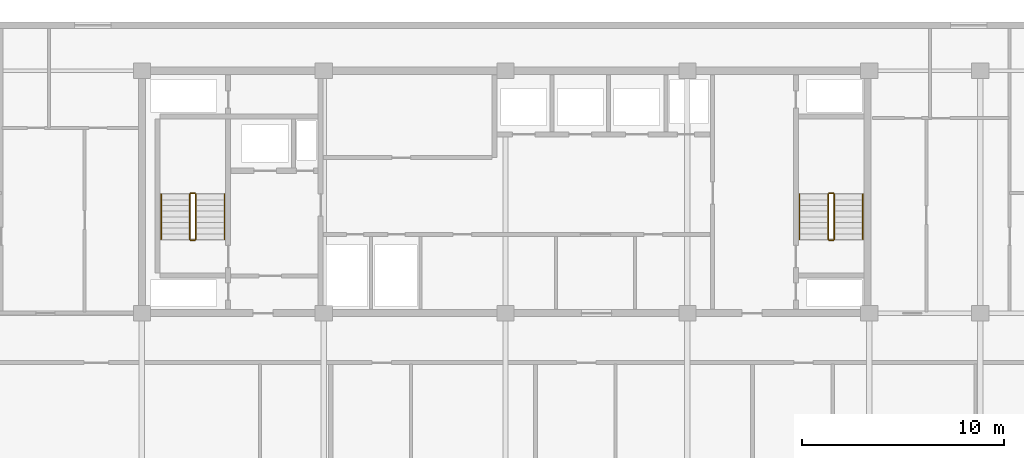
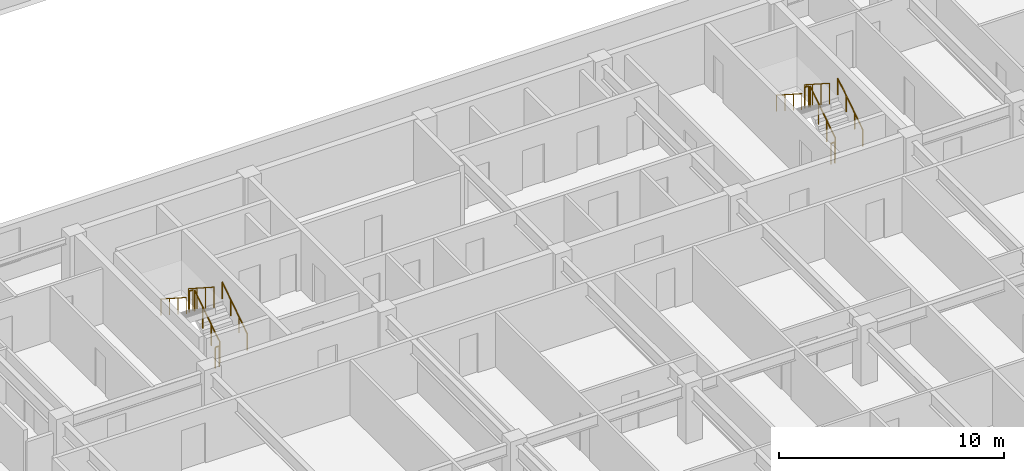
# One storey, part 18 of 21: 12 railings.
"""IFC4 building model written with IfcOpenShell, lengths in metres."""

from ifc_helpers import new_model, si_unit, direction, frame, origin, origin_2d, place, context, subcontext, project, spatial, circle, extrude, material, type_object, element, save


model = new_model("IFC4")

# Units and contexts
model_context = context("Model", 3, precision=1e-05, world=origin(), true_north=direction((0.0, 1.0)))
body_context = subcontext(model_context, "Body", "Model", "MODEL_VIEW")
ifc_project = project(units=[si_unit("LENGTHUNIT", "METRE"), si_unit("AREAUNIT", "SQUARE_METRE"), si_unit("VOLUMEUNIT", "CUBIC_METRE"), si_unit("PLANEANGLEUNIT", "RADIAN"), si_unit("MASSUNIT", "GRAM", prefix="KILO")], contexts=[model_context])

# Site, building, storey
site_placement = place(None, origin())
site = spatial("IfcSite", under=ifc_project, at=site_placement, CompositionType="ELEMENT")
building_placement = place(site_placement, origin())
building = spatial("IfcBuilding", under=site, at=building_placement, Name="Korimba Cascade Residences", CompositionType="ELEMENT")
storey_placement = place(building_placement, frame((0.0, 0.0, 103.550048828125)))
storey = spatial("IfcBuildingStorey", under=building, at=storey_placement, Name="L29", CompositionType="ELEMENT", Elevation=103.550048828125)

# Railings
ifc_material_1 = material(Name="Painted Steel Stairwell Guardrail", Category="steel")
railing_type_1 = type_object("IfcRailingType", Name="RLG-ST-GD1150", PredefinedType="GUARDRAIL", material=ifc_material_1)
railing_1_placement = place(storey_placement, frame((84.77001953125, 22.050048828125, 0.180419921875)))
element("IfcRailing", 1, at=railing_1_placement, inside=storey, type_object=railing_type_1, Name="L29 ST-E1 stair guard 1", PredefinedType="GUARDRAIL", context=body_context, shape_type="SweptSolid", body=[
    extrude(circle(Radius=0.02392578125, at=origin_2d()), frame((0.0, 0.0, 1.1259765625), z_axis=(0.0, 0.840394893359, 0.541974559565), x_axis=(-1.0, 0.0, 0.0)), (0.0, 0.0, 1.0), 2.665283203125),
    extrude(circle(Radius=0.02099609375, at=origin_2d()), origin(), (0.0, 0.0, 1.0), 1.101806640625),
    extrude(circle(Radius=0.02099609375, at=origin_2d()), frame((0.0, 0.74658203125, 0.4814453125)), (0.0, 0.0, 1.0), 1.101806640625),
    extrude(circle(Radius=0.02099609375, at=origin_2d()), frame((0.0, 1.493408203125, 0.963134765625)), (0.0, 0.0, 1.0), 1.101806640625),
    extrude(circle(Radius=0.02099609375, at=origin_2d()), frame((0.0, 2.239990234375, 1.444580078125)), (0.0, 0.0, 1.0), 1.101806640625),
])
railing_2_placement = place(storey_placement, frame((84.719970703125, 24.340087890625, 1.625)))
element("IfcRailing", 2, at=railing_2_placement, inside=storey, type_object=railing_type_1, Name="L29 ST-E1 stair guard 2", PredefinedType="GUARDRAIL", context=body_context, shape_type="SweptSolid", body=[
    extrude(circle(Radius=0.02392578125, at=origin_2d()), frame((0.0, 0.0, 1.1259765625), z_axis=(-1.0, 0.0, 0.0), x_axis=(0.0, -1.0, 0.0)), (0.0, 0.0, 1.0), 0.199951171875),
    extrude(circle(Radius=0.02099609375, at=origin_2d()), origin(), (0.0, 0.0, 1.0), 1.101806640625),
    extrude(circle(Radius=0.02099609375, at=origin_2d()), frame((-0.199951171875, 0.0, 0.0)), (0.0, 0.0, 1.0), 1.101806640625),
])
railing_3_placement = place(storey_placement, frame((84.469970703125, 24.2900390625, 1.805419921875)))
element("IfcRailing", 3, at=railing_3_placement, inside=storey, type_object=railing_type_1, Name="L29 ST-E1 stair guard 3", PredefinedType="GUARDRAIL", context=body_context, shape_type="SweptSolid", body=[
    extrude(circle(Radius=0.02392578125, at=origin_2d()), frame((0.0, 0.0, 1.1259765625), z_axis=(0.0, -0.840394893359, 0.541974559565), x_axis=(1.0, 0.0, 0.0)), (0.0, 0.0, 1.0), 2.665283203125),
    extrude(circle(Radius=0.02099609375, at=origin_2d()), origin(), (0.0, 0.0, 1.0), 1.101806640625),
    extrude(circle(Radius=0.02099609375, at=origin_2d()), frame((0.0, -0.74658203125, 0.4814453125)), (0.0, 0.0, 1.0), 1.101806640625),
    extrude(circle(Radius=0.02099609375, at=origin_2d()), frame((0.0, -1.493408203125, 0.963134765625)), (0.0, 0.0, 1.0), 1.101806640625),
    extrude(circle(Radius=0.02099609375, at=origin_2d()), frame((0.0, -2.239990234375, 1.444580078125)), (0.0, 0.0, 1.0), 1.101806640625),
])
railing_4_placement = place(storey_placement, frame((84.719970703125, 22.0, 0.0)))
element("IfcRailing", 4, at=railing_4_placement, inside=storey, type_object=railing_type_1, Name="L29 ST-E1 stair guard 4", PredefinedType="GUARDRAIL", context=body_context, shape_type="SweptSolid", body=[
    extrude(circle(Radius=0.02392578125, at=origin_2d()), frame((0.0, 0.0, 1.1259765625), z_axis=(-1.0, 0.0, 0.0), x_axis=(0.0, -1.0, 0.0)), (0.0, 0.0, 1.0), 0.199951171875),
    extrude(circle(Radius=0.02099609375, at=origin_2d()), origin(), (0.0, 0.0, 1.0), 1.101806640625),
    extrude(circle(Radius=0.02099609375, at=origin_2d()), frame((-0.199951171875, 0.0, 0.0)), (0.0, 0.0, 1.0), 1.101806640625),
])
railing_5_placement = place(storey_placement, frame((116.3701171875, 22.050048828125, 0.180419921875)))
element("IfcRailing", 5, at=railing_5_placement, inside=storey, type_object=railing_type_1, Name="L29 ST-E2 stair guard 1", PredefinedType="GUARDRAIL", context=body_context, shape_type="SweptSolid", body=[
    extrude(circle(Radius=0.02392578125, at=origin_2d()), frame((0.0, 0.0, 1.1259765625), z_axis=(0.0, 0.840394893359, 0.541974559565), x_axis=(-1.0, 0.0, 0.0)), (0.0, 0.0, 1.0), 2.665283203125),
    extrude(circle(Radius=0.02099609375, at=origin_2d()), origin(), (0.0, 0.0, 1.0), 1.101806640625),
    extrude(circle(Radius=0.02099609375, at=origin_2d()), frame((0.0, 0.74658203125, 0.4814453125)), (0.0, 0.0, 1.0), 1.101806640625),
    extrude(circle(Radius=0.02099609375, at=origin_2d()), frame((0.0, 1.493408203125, 0.963134765625)), (0.0, 0.0, 1.0), 1.101806640625),
    extrude(circle(Radius=0.02099609375, at=origin_2d()), frame((0.0, 2.239990234375, 1.444580078125)), (0.0, 0.0, 1.0), 1.101806640625),
])
railing_6_placement = place(storey_placement, frame((116.320068359375, 24.340087890625, 1.625)))
element("IfcRailing", 6, at=railing_6_placement, inside=storey, type_object=railing_type_1, Name="L29 ST-E2 stair guard 2", PredefinedType="GUARDRAIL", context=body_context, shape_type="SweptSolid", body=[
    extrude(circle(Radius=0.02392578125, at=origin_2d()), frame((0.0, 0.0, 1.1259765625), z_axis=(-1.0, 0.0, 0.0), x_axis=(0.0, -1.0, 0.0)), (0.0, 0.0, 1.0), 0.199951171875),
    extrude(circle(Radius=0.02099609375, at=origin_2d()), origin(), (0.0, 0.0, 1.0), 1.101806640625),
    extrude(circle(Radius=0.02099609375, at=origin_2d()), frame((-0.199951171875, 0.0, 0.0)), (0.0, 0.0, 1.0), 1.101806640625),
])
railing_7_placement = place(storey_placement, frame((116.070068359375, 24.2900390625, 1.805419921875)))
element("IfcRailing", 7, at=railing_7_placement, inside=storey, type_object=railing_type_1, Name="L29 ST-E2 stair guard 3", PredefinedType="GUARDRAIL", context=body_context, shape_type="SweptSolid", body=[
    extrude(circle(Radius=0.02392578125, at=origin_2d()), frame((0.0, 0.0, 1.1259765625), z_axis=(0.0, -0.840394893359, 0.541974559565), x_axis=(1.0, 0.0, 0.0)), (0.0, 0.0, 1.0), 2.665283203125),
    extrude(circle(Radius=0.02099609375, at=origin_2d()), origin(), (0.0, 0.0, 1.0), 1.101806640625),
    extrude(circle(Radius=0.02099609375, at=origin_2d()), frame((0.0, -0.74658203125, 0.4814453125)), (0.0, 0.0, 1.0), 1.101806640625),
    extrude(circle(Radius=0.02099609375, at=origin_2d()), frame((0.0, -1.493408203125, 0.963134765625)), (0.0, 0.0, 1.0), 1.101806640625),
    extrude(circle(Radius=0.02099609375, at=origin_2d()), frame((0.0, -2.239990234375, 1.444580078125)), (0.0, 0.0, 1.0), 1.101806640625),
])
railing_8_placement = place(storey_placement, frame((116.320068359375, 22.0, 0.0)))
element("IfcRailing", 8, at=railing_8_placement, inside=storey, type_object=railing_type_1, Name="L29 ST-E2 stair guard 4", PredefinedType="GUARDRAIL", context=body_context, shape_type="SweptSolid", body=[
    extrude(circle(Radius=0.02392578125, at=origin_2d()), frame((0.0, 0.0, 1.1259765625), z_axis=(-1.0, 0.0, 0.0), x_axis=(0.0, -1.0, 0.0)), (0.0, 0.0, 1.0), 0.199951171875),
    extrude(circle(Radius=0.02099609375, at=origin_2d()), origin(), (0.0, 0.0, 1.0), 1.101806640625),
    extrude(circle(Radius=0.02099609375, at=origin_2d()), frame((-0.199951171875, 0.0, 0.0)), (0.0, 0.0, 1.0), 1.101806640625),
])
ifc_material_2 = material(Name="Brushed Stainless Steel Handrail", Category="steel")
railing_type_2 = type_object("IfcRailingType", Name="RLG-ST-HR900", PredefinedType="HANDRAIL", material=ifc_material_2)
railing_9_placement = place(storey_placement, frame((86.18994140625, 22.050048828125, 0.364990234375)))
element("IfcRailing", 9, at=railing_9_placement, inside=storey, type_object=railing_type_2, Name="L29 ST-E1 stair handrail 1", PredefinedType="HANDRAIL", context=body_context, shape_type="SweptSolid", body=[
    extrude(circle(Radius=0.02392578125, at=origin_2d()), frame((0.0, 0.0, 0.8759765625), z_axis=(0.0, 0.840436612492, 0.541909863706), x_axis=(-1.0, 0.0, 0.0)), (0.0, 0.0, 1.0), 2.665283203125),
    extrude(circle(Radius=0.02099609375, at=origin_2d()), origin(), (0.0, 0.0, 1.0), 0.851806640625),
    extrude(circle(Radius=0.02099609375, at=origin_2d()), frame((0.0, 0.74658203125, 0.4814453125)), (0.0, 0.0, 1.0), 0.851806640625),
    extrude(circle(Radius=0.02099609375, at=origin_2d()), frame((0.0, 1.493408203125, 0.962890625)), (0.0, 0.0, 1.0), 0.851806640625),
    extrude(circle(Radius=0.02099609375, at=origin_2d()), frame((0.0, 2.239990234375, 1.4443359375)), (0.0, 0.0, 1.0), 0.851806640625),
])
railing_10_placement = place(storey_placement, frame((83.050048828125, 24.2900390625, 1.989990234375)))
element("IfcRailing", 10, at=railing_10_placement, inside=storey, type_object=railing_type_2, Name="L29 ST-E1 stair handrail 2", PredefinedType="HANDRAIL", context=body_context, shape_type="SweptSolid", body=[
    extrude(circle(Radius=0.02392578125, at=origin_2d()), frame((0.0, 0.0, 0.8759765625), z_axis=(0.0, -0.840436612492, 0.541909863706), x_axis=(1.0, 0.0, 0.0)), (0.0, 0.0, 1.0), 2.665283203125),
    extrude(circle(Radius=0.02099609375, at=origin_2d()), origin(), (0.0, 0.0, 1.0), 0.851806640625),
    extrude(circle(Radius=0.02099609375, at=origin_2d()), frame((0.0, -0.74658203125, 0.4814453125)), (0.0, 0.0, 1.0), 0.851806640625),
    extrude(circle(Radius=0.02099609375, at=origin_2d()), frame((0.0, -1.493408203125, 0.962890625)), (0.0, 0.0, 1.0), 0.851806640625),
    extrude(circle(Radius=0.02099609375, at=origin_2d()), frame((0.0, -2.239990234375, 1.4443359375)), (0.0, 0.0, 1.0), 0.851806640625),
])
railing_11_placement = place(storey_placement, frame((117.7900390625, 22.050048828125, 0.364990234375)))
element("IfcRailing", 11, at=railing_11_placement, inside=storey, type_object=railing_type_2, Name="L29 ST-E2 stair handrail 1", PredefinedType="HANDRAIL", context=body_context, shape_type="SweptSolid", body=[
    extrude(circle(Radius=0.02392578125, at=origin_2d()), frame((0.0, 0.0, 0.8759765625), z_axis=(0.0, 0.840436612492, 0.541909863706), x_axis=(-1.0, 0.0, 0.0)), (0.0, 0.0, 1.0), 2.665283203125),
    extrude(circle(Radius=0.02099609375, at=origin_2d()), origin(), (0.0, 0.0, 1.0), 0.851806640625),
    extrude(circle(Radius=0.02099609375, at=origin_2d()), frame((0.0, 0.74658203125, 0.4814453125)), (0.0, 0.0, 1.0), 0.851806640625),
    extrude(circle(Radius=0.02099609375, at=origin_2d()), frame((0.0, 1.493408203125, 0.962890625)), (0.0, 0.0, 1.0), 0.851806640625),
    extrude(circle(Radius=0.02099609375, at=origin_2d()), frame((0.0, 2.239990234375, 1.4443359375)), (0.0, 0.0, 1.0), 0.851806640625),
])
railing_12_placement = place(storey_placement, frame((114.64990234375, 24.2900390625, 1.989990234375)))
element("IfcRailing", 12, at=railing_12_placement, inside=storey, type_object=railing_type_2, Name="L29 ST-E2 stair handrail 2", PredefinedType="HANDRAIL", context=body_context, shape_type="SweptSolid", body=[
    extrude(circle(Radius=0.02392578125, at=origin_2d()), frame((0.0, 0.0, 0.8759765625), z_axis=(0.0, -0.840436612492, 0.541909863706), x_axis=(1.0, 0.0, 0.0)), (0.0, 0.0, 1.0), 2.665283203125),
    extrude(circle(Radius=0.02099609375, at=origin_2d()), origin(), (0.0, 0.0, 1.0), 0.851806640625),
    extrude(circle(Radius=0.02099609375, at=origin_2d()), frame((0.0, -0.74658203125, 0.4814453125)), (0.0, 0.0, 1.0), 0.851806640625),
    extrude(circle(Radius=0.02099609375, at=origin_2d()), frame((0.0, -1.493408203125, 0.962890625)), (0.0, 0.0, 1.0), 0.851806640625),
    extrude(circle(Radius=0.02099609375, at=origin_2d()), frame((0.0, -2.239990234375, 1.4443359375)), (0.0, 0.0, 1.0), 0.851806640625),
])

save(model, "model.ifc")
